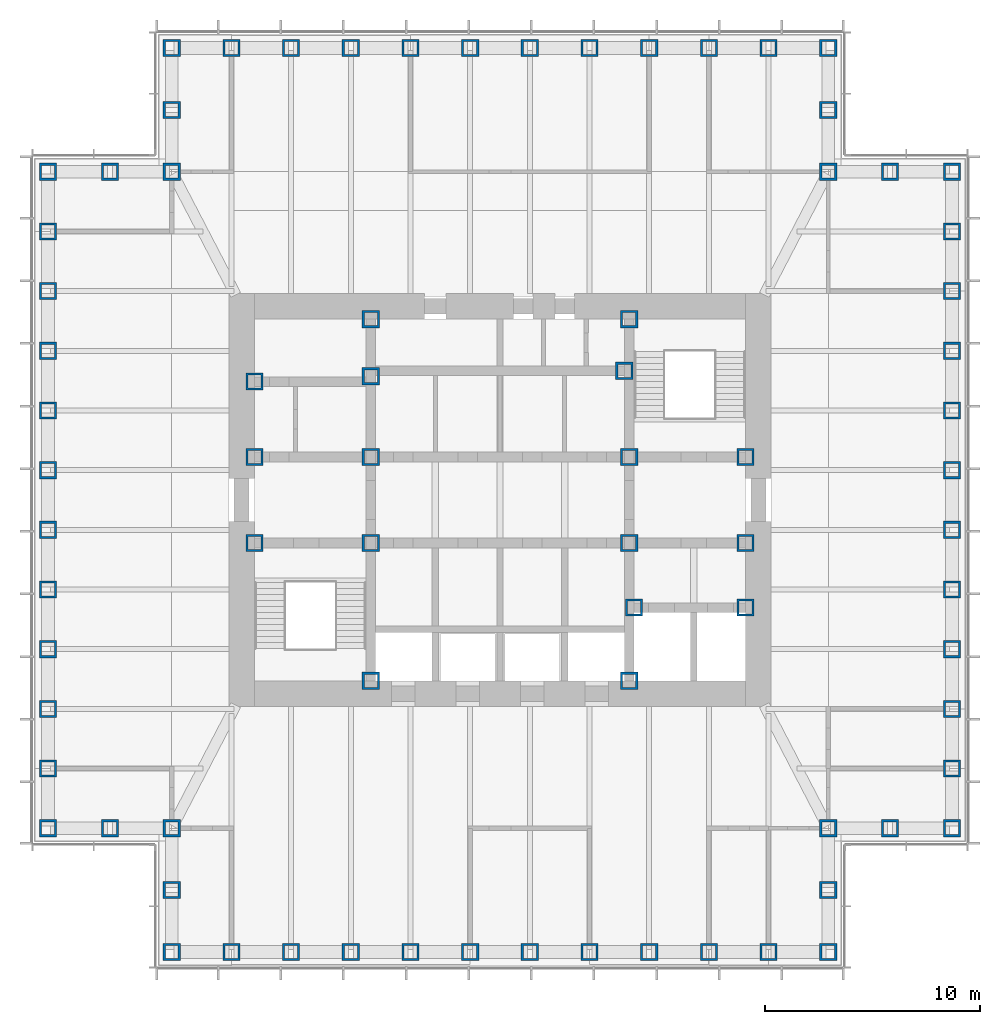
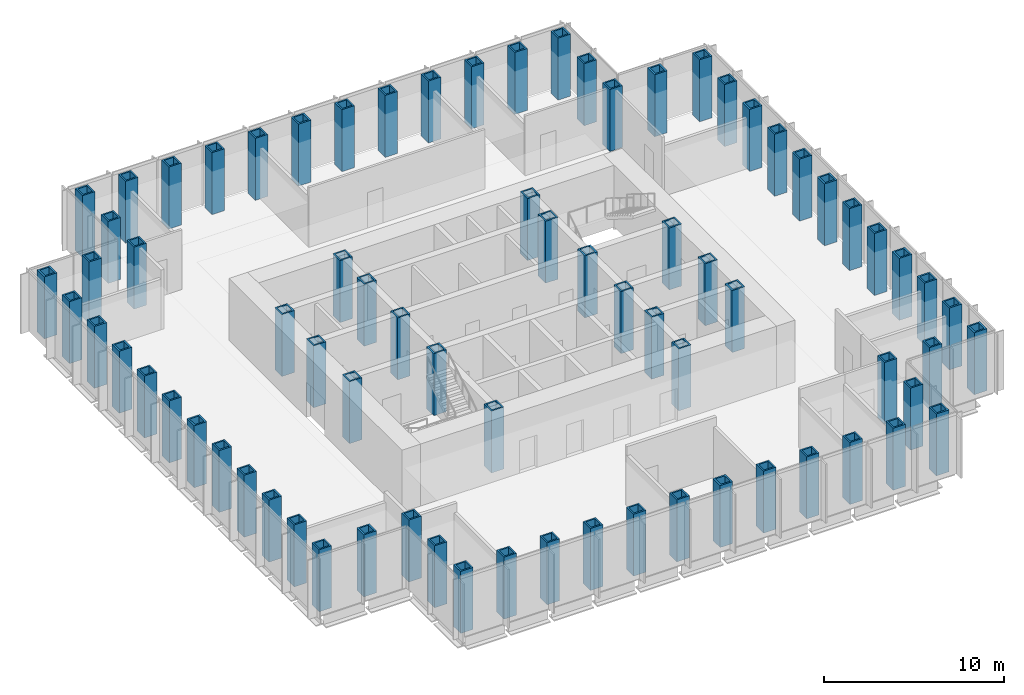
# One storey, part 1 of 16: 77 columns.
"""IFC4 building model written with IfcOpenShell, lengths in metres."""

from ifc_helpers import new_model, si_unit, direction, frame, origin, origin_2d, place, context, subcontext, project, spatial, hollow_rectangle, extrude, material, material_profile, profile_set, type_object, element, save


model = new_model("IFC4")

# Units and contexts
model_context = context("Model", 3, precision=1e-05, world=origin(), true_north=direction((0.0, 1.0)))
body_context = subcontext(model_context, "Body", "Model", "MODEL_VIEW")
ifc_project = project(units=[si_unit("LENGTHUNIT", "METRE"), si_unit("AREAUNIT", "SQUARE_METRE"), si_unit("VOLUMEUNIT", "CUBIC_METRE"), si_unit("PLANEANGLEUNIT", "RADIAN"), si_unit("MASSUNIT", "GRAM", prefix="KILO")], contexts=[model_context])

# Site, building, storey
site_placement = place(None, origin())
site = spatial("IfcSite", under=ifc_project, at=site_placement, CompositionType="ELEMENT")
building_placement = place(site_placement, origin())
building = spatial("IfcBuilding", under=site, at=building_placement, Name="Daluyong Arena Tower", CompositionType="ELEMENT")
storey_placement = place(building_placement, frame((0.0, 0.0, 258.699951171875)))
storey = spatial("IfcBuildingStorey", under=building, at=storey_placement, Name="L58", CompositionType="ELEMENT", Elevation=258.699951171875)

# Columns
ifc_material_1 = material(Name="Steel ASTM A572 Grade 50", Category="steel")
ifc_material_profile_1 = material_profile(ifc_material_1, hollow_rectangle(XDim=0.800048828125, YDim=0.800048828125, WallThickness=0.1, at=origin_2d()))
ifc_profile_set_1 = profile_set([ifc_material_profile_1], Name="Steel ASTM A572 Grade 50")
column_type_1 = type_object("IfcColumnType", Name="Core boundary column BX800X100", PredefinedType="COLUMN", material=ifc_profile_set_1)
for number, where, z_axis, x_axis, name in (
    (1, (44.60009765625, 78.0, 0.0), (0.0, 0.0, 1.0), (1.0, 0.0, 0.0), "core boundary column BC2"),
    (2, (44.60009765625, 82.0, 0.0), (0.0, 0.0, 1.0), (1.0, 0.0, 0.0), "core boundary column BC2"),
    (3, (44.60009765625, 85.5, 0.0), (0.0, 0.0, 1.0), (1.0, 0.0, 0.0), "core boundary column BC2"),
    (4, (50.0, 71.60009765625, 0.0), (0.0, 0.0, 1.0), (1.0, 0.0, 0.0), "core boundary column BC2"),
    (5, (50.0, 78.0, 0.0), (0.0, 0.0, 1.0), (1.0, 0.0, 0.0), "core boundary column BC2"),
    (6, (50.0, 82.0, 0.0), (0.0, 0.0, 1.0), (1.0, 0.0, 0.0), "core boundary column BC2"),
    (7, (50.0, 85.75, 0.0), (0.0, 0.0, 1.0), (1.0, 0.0, 0.0), "core boundary column BC2"),
    (8, (50.0, 88.39990234375, 0.0), (0.0, 0.0, 1.0), (1.0, 0.0, 0.0), "core boundary column BC2"),
    (9, (61.77490234375, 86.0, 0.0), (0.0, 0.0, 1.0), (1.0, 0.0, 0.0), "core boundary column BC2"),
    (10, (62.0, 71.60009765625, 0.0), (0.0, 0.0, 1.0), (1.0, 0.0, 0.0), "core boundary column BC2"),
    (11, (62.0, 78.0, 0.0), (0.0, 0.0, 1.0), (1.0, 0.0, 0.0), "core boundary column BC2"),
    (12, (62.0, 82.0, 0.0), (0.0, 0.0, 1.0), (1.0, 0.0, 0.0), "core boundary column BC2"),
    (13, (62.0, 88.39990234375, 0.0), (0.0, 0.0, 1.0), (1.0, 0.0, 0.0), "core boundary column BC2"),
    (14, (62.22509765625, 75.0, 0.0), (0.0, 0.0, 1.0), (1.0, 0.0, 0.0), "core boundary column BC2"),
    (15, (67.39990234375, 75.0, 0.0), (0.0, 0.0, 1.0), (1.0, 0.0, 0.0), "core boundary column BC2"),
    (16, (67.39990234375, 78.0, 0.0), (0.0, 0.0, 1.0), (1.0, 0.0, 0.0), "core boundary column BC2"),
    (17, (67.39990234375, 82.0, 0.0), (0.0, 0.0, 1.0), (1.0, 0.0, 0.0), "core boundary column BC2"),
):
    element("IfcColumn", number, at=place(storey_placement, frame(where, z_axis=z_axis, x_axis=x_axis)), inside=storey, type_object=column_type_1, Name=name, PredefinedType="COLUMN", context=body_context, shape_type="SweptSolid", body=[
        extrude(hollow_rectangle(XDim=0.800048828125, YDim=0.800048828125, WallThickness=0.1, at=origin_2d()), origin(), (0.0, 0.0, 1.0), 4.199951171875),
    ])
ifc_material_2 = material(Name="Steel ASTM A572 Grade 50", Category="steel")
ifc_material_profile_2 = material_profile(ifc_material_2, hollow_rectangle(XDim=0.800048828125, YDim=0.800048828125, WallThickness=0.1, at=origin_2d()))
ifc_profile_set_2 = profile_set([ifc_material_profile_2], Name="Steel ASTM A572 Grade 50")
column_type_2 = type_object("IfcColumnType", Name="Tube column BX800X100 BX800X100", PredefinedType="COLUMN", material=ifc_profile_set_2)
for number, where, z_axis, x_axis, name in (
    (18, (40.75, 59.0, 0.0), (0.0, 0.0, 1.0), (1.0, 0.0, 0.0), "tube column bx800x100 TC8"),
    (19, (43.522705078125, 59.0, 0.0), (0.0, 0.0, 1.0), (1.0, 0.0, 0.0), "tube column bx800x100 TC8"),
    (20, (46.29541015625, 59.0, 0.0), (0.0, 0.0, 1.0), (1.0, 0.0, 0.0), "tube column bx800x100 TC8"),
    (21, (49.068115234375, 59.0, 0.0), (0.0, 0.0, 1.0), (1.0, 0.0, 0.0), "tube column bx800x100 TC8"),
    (22, (51.8408203125, 59.0, 0.0), (0.0, 0.0, 1.0), (1.0, 0.0, 0.0), "tube column bx800x100 TC8"),
    (23, (54.613525390625, 59.0, 0.0), (0.0, 0.0, 1.0), (1.0, 0.0, 0.0), "tube column bx800x100 TC8"),
    (24, (57.386474609375, 59.0, 0.0), (0.0, 0.0, 1.0), (1.0, 0.0, 0.0), "tube column bx800x100 TC8"),
    (25, (60.1591796875, 59.0, 0.0), (0.0, 0.0, 1.0), (1.0, 0.0, 0.0), "tube column bx800x100 TC8"),
    (26, (62.931884765625, 59.0, 0.0), (0.0, 0.0, 1.0), (1.0, 0.0, 0.0), "tube column bx800x100 TC8"),
    (27, (65.70458984375, 59.0, 0.0), (0.0, 0.0, 1.0), (1.0, 0.0, 0.0), "tube column bx800x100 TC8"),
    (28, (68.477294921875, 59.0, 0.0), (0.0, 0.0, 1.0), (1.0, 0.0, 0.0), "tube column bx800x100 TC8"),
    (29, (71.25, 59.0, 0.0), (0.0, 0.0, 1.0), (0.0, 1.0, 0.0), "tube column bx800x100 TC8"),
    (30, (71.25, 61.875, 0.0), (0.0, 0.0, 1.0), (0.0, 1.0, 0.0), "tube column bx800x100 TC8"),
    (31, (71.25, 64.75, 0.0), (0.0, 0.0, 1.0), (1.0, 0.0, 0.0), "tube column bx800x100 TC8"),
    (32, (74.125, 64.75, 0.0), (0.0, 0.0, 1.0), (1.0, 0.0, 0.0), "tube column bx800x100 TC8"),
    (33, (77.0, 64.75, 0.0), (0.0, 0.0, 1.0), (0.0, 1.0, 0.0), "tube column bx800x100 TC8"),
    (34, (77.0, 67.522705078125, 0.0), (0.0, 0.0, 1.0), (0.0, 1.0, 0.0), "tube column bx800x100 TC8"),
    (35, (77.0, 70.29541015625, 0.0), (0.0, 0.0, 1.0), (0.0, 1.0, 0.0), "tube column bx800x100 TC8"),
    (36, (77.0, 73.068115234375, 0.0), (0.0, 0.0, 1.0), (0.0, 1.0, 0.0), "tube column bx800x100 TC8"),
    (37, (77.0, 75.8408203125, 0.0), (0.0, 0.0, 1.0), (0.0, 1.0, 0.0), "tube column bx800x100 TC8"),
    (38, (77.0, 78.613525390625, 0.0), (0.0, 0.0, 1.0), (0.0, 1.0, 0.0), "tube column bx800x100 TC8"),
    (39, (77.0, 81.386474609375, 0.0), (0.0, 0.0, 1.0), (0.0, 1.0, 0.0), "tube column bx800x100 TC8"),
    (40, (77.0, 84.1591796875, 0.0), (0.0, 0.0, 1.0), (0.0, 1.0, 0.0), "tube column bx800x100 TC8"),
    (41, (77.0, 86.931884765625, 0.0), (0.0, 0.0, 1.0), (0.0, 1.0, 0.0), "tube column bx800x100 TC8"),
    (42, (77.0, 89.70458984375, 0.0), (0.0, 0.0, 1.0), (0.0, 1.0, 0.0), "tube column bx800x100 TC8"),
    (43, (77.0, 92.477294921875, 0.0), (0.0, 0.0, 1.0), (0.0, 1.0, 0.0), "tube column bx800x100 TC8"),
    (44, (77.0, 95.25, 0.0), (0.0, 0.0, 1.0), (1.0, 0.0, 0.0), "tube column bx800x100 TC8"),
    (45, (74.125, 95.25, 0.0), (0.0, 0.0, 1.0), (1.0, 0.0, 0.0), "tube column bx800x100 TC8"),
    (46, (71.25, 95.25, 0.0), (0.0, 0.0, 1.0), (0.0, 1.0, 0.0), "tube column bx800x100 TC8"),
    (47, (71.25, 98.125, 0.0), (0.0, 0.0, 1.0), (0.0, 1.0, 0.0), "tube column bx800x100 TC8"),
    (48, (71.25, 101.0, 0.0), (0.0, 0.0, 1.0), (1.0, 0.0, 0.0), "tube column bx800x100 TC8"),
    (49, (68.477294921875, 101.0, 0.0), (0.0, 0.0, 1.0), (1.0, 0.0, 0.0), "tube column bx800x100 TC8"),
    (50, (65.70458984375, 101.0, 0.0), (0.0, 0.0, 1.0), (1.0, 0.0, 0.0), "tube column bx800x100 TC8"),
    (51, (62.931884765625, 101.0, 0.0), (0.0, 0.0, 1.0), (1.0, 0.0, 0.0), "tube column bx800x100 TC8"),
    (52, (60.1591796875, 101.0, 0.0), (0.0, 0.0, 1.0), (1.0, 0.0, 0.0), "tube column bx800x100 TC8"),
    (53, (57.386474609375, 101.0, 0.0), (0.0, 0.0, 1.0), (1.0, 0.0, 0.0), "tube column bx800x100 TC8"),
    (54, (54.613525390625, 101.0, 0.0), (0.0, 0.0, 1.0), (1.0, 0.0, 0.0), "tube column bx800x100 TC8"),
    (55, (51.8408203125, 101.0, 0.0), (0.0, 0.0, 1.0), (1.0, 0.0, 0.0), "tube column bx800x100 TC8"),
    (56, (49.068115234375, 101.0, 0.0), (0.0, 0.0, 1.0), (1.0, 0.0, 0.0), "tube column bx800x100 TC8"),
    (57, (46.29541015625, 101.0, 0.0), (0.0, 0.0, 1.0), (1.0, 0.0, 0.0), "tube column bx800x100 TC8"),
    (58, (43.522705078125, 101.0, 0.0), (0.0, 0.0, 1.0), (1.0, 0.0, 0.0), "tube column bx800x100 TC8"),
    (59, (40.75, 101.0, 0.0), (0.0, 0.0, 1.0), (0.0, 1.0, 0.0), "tube column bx800x100 TC8"),
    (60, (40.75, 98.125, 0.0), (0.0, 0.0, 1.0), (0.0, 1.0, 0.0), "tube column bx800x100 TC8"),
    (61, (40.75, 95.25, 0.0), (0.0, 0.0, 1.0), (1.0, 0.0, 0.0), "tube column bx800x100 TC8"),
    (62, (37.875, 95.25, 0.0), (0.0, 0.0, 1.0), (1.0, 0.0, 0.0), "tube column bx800x100 TC8"),
    (63, (35.0, 95.25, 0.0), (0.0, 0.0, 1.0), (0.0, 1.0, 0.0), "tube column bx800x100 TC8"),
    (64, (35.0, 92.477294921875, 0.0), (0.0, 0.0, 1.0), (0.0, 1.0, 0.0), "tube column bx800x100 TC8"),
    (65, (35.0, 89.70458984375, 0.0), (0.0, 0.0, 1.0), (0.0, 1.0, 0.0), "tube column bx800x100 TC8"),
    (66, (35.0, 86.931884765625, 0.0), (0.0, 0.0, 1.0), (0.0, 1.0, 0.0), "tube column bx800x100 TC8"),
    (67, (35.0, 84.1591796875, 0.0), (0.0, 0.0, 1.0), (0.0, 1.0, 0.0), "tube column bx800x100 TC8"),
    (68, (35.0, 81.386474609375, 0.0), (0.0, 0.0, 1.0), (0.0, 1.0, 0.0), "tube column bx800x100 TC8"),
    (69, (35.0, 78.613525390625, 0.0), (0.0, 0.0, 1.0), (0.0, 1.0, 0.0), "tube column bx800x100 TC8"),
    (70, (35.0, 75.8408203125, 0.0), (0.0, 0.0, 1.0), (0.0, 1.0, 0.0), "tube column bx800x100 TC8"),
    (71, (35.0, 73.068115234375, 0.0), (0.0, 0.0, 1.0), (0.0, 1.0, 0.0), "tube column bx800x100 TC8"),
    (72, (35.0, 70.29541015625, 0.0), (0.0, 0.0, 1.0), (0.0, 1.0, 0.0), "tube column bx800x100 TC8"),
    (73, (35.0, 67.522705078125, 0.0), (0.0, 0.0, 1.0), (0.0, 1.0, 0.0), "tube column bx800x100 TC8"),
    (74, (35.0, 64.75, 0.0), (0.0, 0.0, 1.0), (1.0, 0.0, 0.0), "tube column bx800x100 TC8"),
    (75, (37.875, 64.75, 0.0), (0.0, 0.0, 1.0), (1.0, 0.0, 0.0), "tube column bx800x100 TC8"),
    (76, (40.75, 64.75, 0.0), (0.0, 0.0, 1.0), (0.0, 1.0, 0.0), "tube column bx800x100 TC8"),
    (77, (40.75, 61.875, 0.0), (0.0, 0.0, 1.0), (0.0, 1.0, 0.0), "tube column bx800x100 TC8"),
):
    element("IfcColumn", number, at=place(storey_placement, frame(where, z_axis=z_axis, x_axis=x_axis)), inside=storey, type_object=column_type_2, Name=name, PredefinedType="COLUMN", context=body_context, shape_type="SweptSolid", body=[
        extrude(hollow_rectangle(XDim=0.800048828125, YDim=0.800048828125, WallThickness=0.1, at=origin_2d()), origin(), (0.0, 0.0, 1.0), 4.199951171875),
    ])

save(model, "model.ifc")
